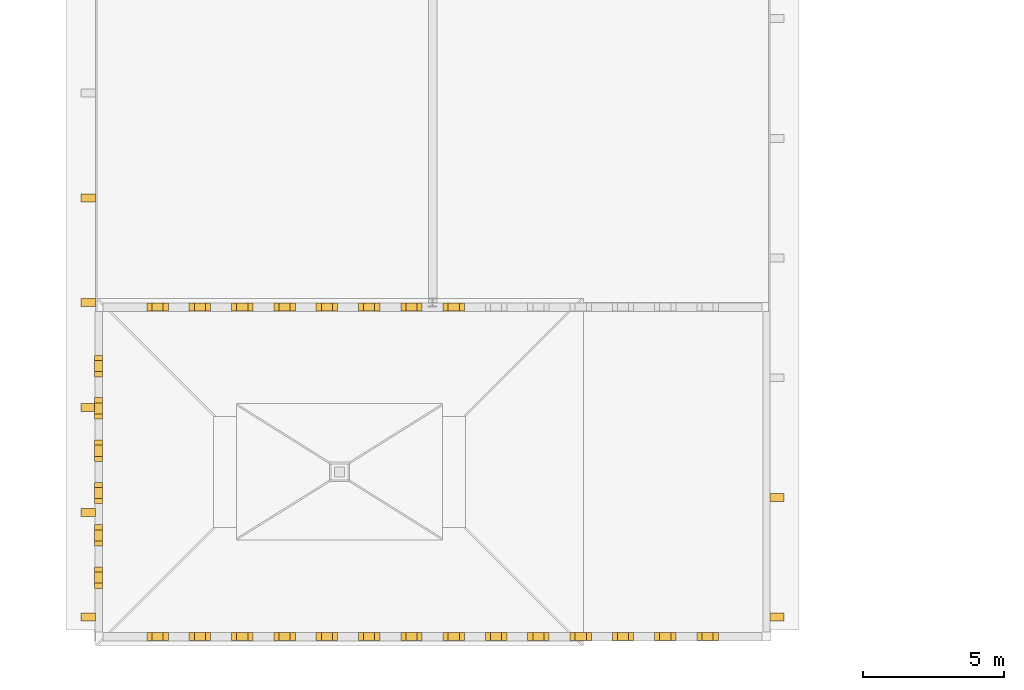
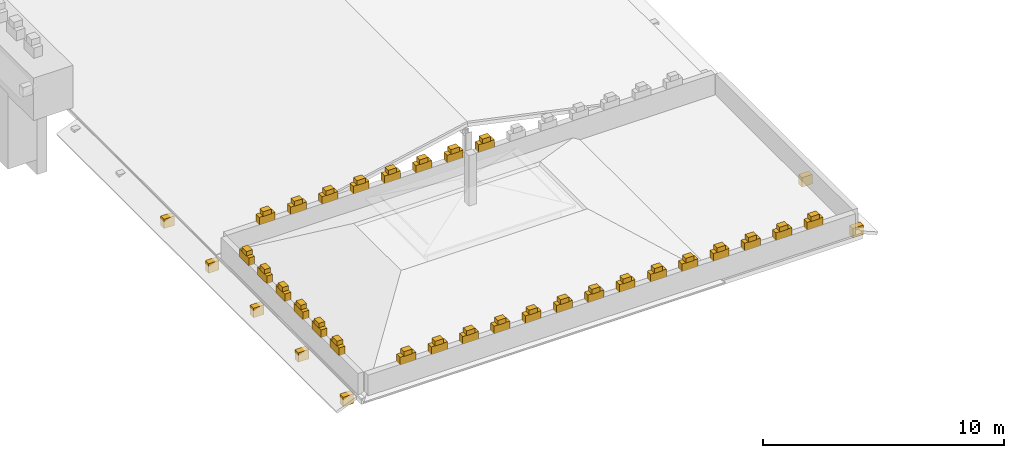
# One storey, part 79 of 83: 63 coverings.
"""IFC4 building model written with IfcOpenShell, lengths in metres."""

from ifc_helpers import new_model, si_unit, direction, frame, origin, place, context, subcontext, project, spatial, polyline, outline, extrude, material, layer, layer_set, type_object, element, save


model = new_model("IFC4")

# Units and contexts
model_context = context("Model", 3, precision=1e-05, world=origin(), true_north=direction((0.0, 1.0)))
body_context = subcontext(model_context, "Body", "Model", "MODEL_VIEW")
ifc_project = project(units=[si_unit("LENGTHUNIT", "METRE"), si_unit("AREAUNIT", "SQUARE_METRE"), si_unit("VOLUMEUNIT", "CUBIC_METRE"), si_unit("PLANEANGLEUNIT", "RADIAN"), si_unit("MASSUNIT", "GRAM", prefix="KILO")], contexts=[model_context])

# Site, building, storey
site_placement = place(None, origin())
site = spatial("IfcSite", under=ifc_project, at=site_placement, CompositionType="ELEMENT")
building_placement = place(site_placement, origin())
building = spatial("IfcBuilding", under=site, at=building_placement, Name="Zlatogorsky Bluff Art Gallery", CompositionType="ELEMENT")
storey_placement = place(building_placement, frame((0.0, 0.0, 10.800048828125)))
storey = spatial("IfcBuildingStorey", under=building, at=storey_placement, Name="L02", CompositionType="ELEMENT", Elevation=10.800048828125)

# Coverings
ifc_material = material(Name="Honed Red Agra-Tone Quartzitic Sandstone", Category="masonry")
ifc_layer = layer(ifc_material, 0.1201171875)
ifc_layer_set = layer_set([ifc_layer], Name="Carved Sandstone Cladding CLD-02")
covering_type = type_object("IfcCoveringType", Name="Carved Sandstone Cladding CLD-02", PredefinedType="CLADDING", material=ifc_layer_set)
covering_1_placement = place(storey_placement, frame((0.0, 0.0, -0.60009765625)))
element("IfcCovering", 1, at=covering_1_placement, inside=storey, type_object=covering_type, Name="Chhajja carved stone corbel CHJ-SW-E-L02.1", PredefinedType="CLADDING", context=body_context, shape_type="SweptSolid", body=[
    extrude(outline(polyline([(23.9599609375, 15.110107421875), (23.9599609375, 15.389892578125), (24.4599609375, 15.389892578125), (24.4599609375, 15.110107421875), (23.9599609375, 15.110107421875)])), origin(), (0.0, 0.0, 1.0), 0.47998046875),
])
covering_2_placement = place(storey_placement, frame((0.0, 0.0, -0.60009765625)))
element("IfcCovering", 2, at=covering_2_placement, inside=storey, type_object=covering_type, Name="Chhajja carved stone corbel CHJ-SW-E-L02.2", PredefinedType="CLADDING", context=body_context, shape_type="SweptSolid", body=[
    extrude(outline(polyline([(23.9599609375, 19.353759765625), (23.9599609375, 19.6337890625), (24.4599609375, 19.6337890625), (24.4599609375, 19.353759765625), (23.9599609375, 19.353759765625)])), origin(), (0.0, 0.0, 1.0), 0.47998046875),
])
covering_3_placement = place(storey_placement, frame((0.0, 0.0, -0.60009765625)))
element("IfcCovering", 3, at=covering_3_placement, inside=storey, type_object=covering_type, Name="Chhajja carved stone corbel CHJ-SW-W-L02A.1", PredefinedType="CLADDING", context=body_context, shape_type="SweptSolid", body=[
    extrude(outline(polyline([(-0.4599609375, 15.110107421875), (-0.4599609375, 15.389892578125), (0.0400390625, 15.389892578125), (0.0400390625, 15.110107421875), (-0.4599609375, 15.110107421875)])), origin(), (0.0, 0.0, 1.0), 0.47998046875),
])
covering_4_placement = place(storey_placement, frame((0.0, 0.0, -0.60009765625)))
element("IfcCovering", 4, at=covering_4_placement, inside=storey, type_object=covering_type, Name="Chhajja carved stone corbel CHJ-SW-W-L02A.2", PredefinedType="CLADDING", context=body_context, shape_type="SweptSolid", body=[
    extrude(outline(polyline([(-0.4599609375, 18.82666015625), (-0.4599609375, 19.106689453125), (0.0400390625, 19.106689453125), (0.0400390625, 18.82666015625), (-0.4599609375, 18.82666015625)])), origin(), (0.0, 0.0, 1.0), 0.47998046875),
])
covering_5_placement = place(storey_placement, frame((0.0, 0.0, -0.60009765625)))
element("IfcCovering", 5, at=covering_5_placement, inside=storey, type_object=covering_type, Name="Chhajja carved stone corbel CHJ-SW-W-L02A.3", PredefinedType="CLADDING", context=body_context, shape_type="SweptSolid", body=[
    extrude(outline(polyline([(-0.4599609375, 22.543212890625), (-0.4599609375, 22.8232421875), (0.0400390625, 22.8232421875), (0.0400390625, 22.543212890625), (-0.4599609375, 22.543212890625)])), origin(), (0.0, 0.0, 1.0), 0.47998046875),
])
covering_6_placement = place(storey_placement, frame((0.0, 0.0, -0.60009765625)))
element("IfcCovering", 6, at=covering_6_placement, inside=storey, type_object=covering_type, Name="Chhajja carved stone corbel CHJ-SW-W-L02A.4", PredefinedType="CLADDING", context=body_context, shape_type="SweptSolid", body=[
    extrude(outline(polyline([(-0.4599609375, 26.260009765625), (-0.4599609375, 26.5400390625), (0.0400390625, 26.5400390625), (0.0400390625, 26.260009765625), (-0.4599609375, 26.260009765625)])), origin(), (0.0, 0.0, 1.0), 0.47998046875),
])
covering_7_placement = place(storey_placement, frame((0.0, 0.0, -0.60009765625)))
element("IfcCovering", 7, at=covering_7_placement, inside=storey, type_object=covering_type, Name="Chhajja carved stone corbel CHJ-SW-W-L02A.5", PredefinedType="CLADDING", context=body_context, shape_type="SweptSolid", body=[
    extrude(outline(polyline([(-0.4599609375, 29.976806640625), (-0.4599609375, 30.256591796875), (0.0400390625, 30.256591796875), (0.0400390625, 29.976806640625), (-0.4599609375, 29.976806640625)])), origin(), (0.0, 0.0, 1.0), 0.47998046875),
])
covering_8_placement = place(storey_placement, frame((0.0, 0.0, 1.119873046875)))
element("IfcCovering", 8, at=covering_8_placement, inside=storey, type_object=covering_type, Name="Kangura stepped merlon base PAR-RF-L02-01-2.1", PredefinedType="CLADDING", context=body_context, shape_type="SweptSolid", body=[
    extrude(outline(polyline([(1.8701171875, 14.419921875), (2.6298828125, 14.419921875), (2.6298828125, 14.699951171875), (1.8701171875, 14.699951171875), (1.8701171875, 14.419921875)])), origin(), (0.0, 0.0, 1.0), 0.3896484375),
])
covering_9_placement = place(storey_placement, frame((0.0, 0.0, 1.4921875)))
element("IfcCovering", 9, at=covering_9_placement, inside=storey, type_object=covering_type, Name="Kangura pointed merlon finial PAR-RF-L02-01-2.1", PredefinedType="CLADDING", context=body_context, shape_type="SweptSolid", body=[
    extrude(outline(polyline([(2.052490234375, 14.419921875), (2.447509765625, 14.419921875), (2.447509765625, 14.699951171875), (2.052490234375, 14.699951171875), (2.052490234375, 14.419921875)])), origin(), (0.0, 0.0, 1.0), 0.23779296875),
])
covering_10_placement = place(storey_placement, frame((0.0, 0.0, 1.119873046875)))
element("IfcCovering", 10, at=covering_10_placement, inside=storey, type_object=covering_type, Name="Kangura stepped merlon base PAR-RF-L02-01-2.2", PredefinedType="CLADDING", context=body_context, shape_type="SweptSolid", body=[
    extrude(outline(polyline([(3.3701171875, 14.419921875), (4.1298828125, 14.419921875), (4.1298828125, 14.699951171875), (3.3701171875, 14.699951171875), (3.3701171875, 14.419921875)])), origin(), (0.0, 0.0, 1.0), 0.3896484375),
])
covering_11_placement = place(storey_placement, frame((0.0, 0.0, 1.4921875)))
element("IfcCovering", 11, at=covering_11_placement, inside=storey, type_object=covering_type, Name="Kangura pointed merlon finial PAR-RF-L02-01-2.2", PredefinedType="CLADDING", context=body_context, shape_type="SweptSolid", body=[
    extrude(outline(polyline([(3.552490234375, 14.419921875), (3.947509765625, 14.419921875), (3.947509765625, 14.699951171875), (3.552490234375, 14.699951171875), (3.552490234375, 14.419921875)])), origin(), (0.0, 0.0, 1.0), 0.23779296875),
])
covering_12_placement = place(storey_placement, frame((0.0, 0.0, 1.119873046875)))
element("IfcCovering", 12, at=covering_12_placement, inside=storey, type_object=covering_type, Name="Kangura stepped merlon base PAR-RF-L02-01-2.3", PredefinedType="CLADDING", context=body_context, shape_type="SweptSolid", body=[
    extrude(outline(polyline([(4.8701171875, 14.419921875), (5.6298828125, 14.419921875), (5.6298828125, 14.699951171875), (4.8701171875, 14.699951171875), (4.8701171875, 14.419921875)])), origin(), (0.0, 0.0, 1.0), 0.3896484375),
])
covering_13_placement = place(storey_placement, frame((0.0, 0.0, 1.4921875)))
element("IfcCovering", 13, at=covering_13_placement, inside=storey, type_object=covering_type, Name="Kangura pointed merlon finial PAR-RF-L02-01-2.3", PredefinedType="CLADDING", context=body_context, shape_type="SweptSolid", body=[
    extrude(outline(polyline([(5.052490234375, 14.419921875), (5.447509765625, 14.419921875), (5.447509765625, 14.699951171875), (5.052490234375, 14.699951171875), (5.052490234375, 14.419921875)])), origin(), (0.0, 0.0, 1.0), 0.23779296875),
])
covering_14_placement = place(storey_placement, frame((0.0, 0.0, 1.119873046875)))
element("IfcCovering", 14, at=covering_14_placement, inside=storey, type_object=covering_type, Name="Kangura stepped merlon base PAR-RF-L02-01-2.4", PredefinedType="CLADDING", context=body_context, shape_type="SweptSolid", body=[
    extrude(outline(polyline([(6.3701171875, 14.419921875), (7.1298828125, 14.419921875), (7.1298828125, 14.699951171875), (6.3701171875, 14.699951171875), (6.3701171875, 14.419921875)])), origin(), (0.0, 0.0, 1.0), 0.3896484375),
])
covering_15_placement = place(storey_placement, frame((0.0, 0.0, 1.4921875)))
element("IfcCovering", 15, at=covering_15_placement, inside=storey, type_object=covering_type, Name="Kangura pointed merlon finial PAR-RF-L02-01-2.4", PredefinedType="CLADDING", context=body_context, shape_type="SweptSolid", body=[
    extrude(outline(polyline([(6.552490234375, 14.419921875), (6.947509765625, 14.419921875), (6.947509765625, 14.699951171875), (6.552490234375, 14.699951171875), (6.552490234375, 14.419921875)])), origin(), (0.0, 0.0, 1.0), 0.23779296875),
])
covering_16_placement = place(storey_placement, frame((0.0, 0.0, 1.119873046875)))
element("IfcCovering", 16, at=covering_16_placement, inside=storey, type_object=covering_type, Name="Kangura stepped merlon base PAR-RF-L02-01-2.5", PredefinedType="CLADDING", context=body_context, shape_type="SweptSolid", body=[
    extrude(outline(polyline([(7.8701171875, 14.419921875), (8.6298828125, 14.419921875), (8.6298828125, 14.699951171875), (7.8701171875, 14.699951171875), (7.8701171875, 14.419921875)])), origin(), (0.0, 0.0, 1.0), 0.3896484375),
])
covering_17_placement = place(storey_placement, frame((0.0, 0.0, 1.4921875)))
element("IfcCovering", 17, at=covering_17_placement, inside=storey, type_object=covering_type, Name="Kangura pointed merlon finial PAR-RF-L02-01-2.5", PredefinedType="CLADDING", context=body_context, shape_type="SweptSolid", body=[
    extrude(outline(polyline([(8.052490234375, 14.419921875), (8.447509765625, 14.419921875), (8.447509765625, 14.699951171875), (8.052490234375, 14.699951171875), (8.052490234375, 14.419921875)])), origin(), (0.0, 0.0, 1.0), 0.23779296875),
])
covering_18_placement = place(storey_placement, frame((0.0, 0.0, 1.119873046875)))
element("IfcCovering", 18, at=covering_18_placement, inside=storey, type_object=covering_type, Name="Kangura stepped merlon base PAR-RF-L02-01-2.6", PredefinedType="CLADDING", context=body_context, shape_type="SweptSolid", body=[
    extrude(outline(polyline([(9.3701171875, 14.419921875), (10.1298828125, 14.419921875), (10.1298828125, 14.699951171875), (9.3701171875, 14.699951171875), (9.3701171875, 14.419921875)])), origin(), (0.0, 0.0, 1.0), 0.3896484375),
])
covering_19_placement = place(storey_placement, frame((0.0, 0.0, 1.4921875)))
element("IfcCovering", 19, at=covering_19_placement, inside=storey, type_object=covering_type, Name="Kangura pointed merlon finial PAR-RF-L02-01-2.6", PredefinedType="CLADDING", context=body_context, shape_type="SweptSolid", body=[
    extrude(outline(polyline([(9.552490234375, 14.419921875), (9.947509765625, 14.419921875), (9.947509765625, 14.699951171875), (9.552490234375, 14.699951171875), (9.552490234375, 14.419921875)])), origin(), (0.0, 0.0, 1.0), 0.23779296875),
])
covering_20_placement = place(storey_placement, frame((0.0, 0.0, 1.119873046875)))
element("IfcCovering", 20, at=covering_20_placement, inside=storey, type_object=covering_type, Name="Kangura stepped merlon base PAR-RF-L02-01-2.7", PredefinedType="CLADDING", context=body_context, shape_type="SweptSolid", body=[
    extrude(outline(polyline([(10.8701171875, 14.419921875), (11.6298828125, 14.419921875), (11.6298828125, 14.699951171875), (10.8701171875, 14.699951171875), (10.8701171875, 14.419921875)])), origin(), (0.0, 0.0, 1.0), 0.3896484375),
])
covering_21_placement = place(storey_placement, frame((0.0, 0.0, 1.4921875)))
element("IfcCovering", 21, at=covering_21_placement, inside=storey, type_object=covering_type, Name="Kangura pointed merlon finial PAR-RF-L02-01-2.7", PredefinedType="CLADDING", context=body_context, shape_type="SweptSolid", body=[
    extrude(outline(polyline([(11.052490234375, 14.419921875), (11.447509765625, 14.419921875), (11.447509765625, 14.699951171875), (11.052490234375, 14.699951171875), (11.052490234375, 14.419921875)])), origin(), (0.0, 0.0, 1.0), 0.23779296875),
])
covering_22_placement = place(storey_placement, frame((0.0, 0.0, 1.119873046875)))
element("IfcCovering", 22, at=covering_22_placement, inside=storey, type_object=covering_type, Name="Kangura stepped merlon base PAR-RF-L02-01-2.8", PredefinedType="CLADDING", context=body_context, shape_type="SweptSolid", body=[
    extrude(outline(polyline([(12.3701171875, 14.419921875), (13.1298828125, 14.419921875), (13.1298828125, 14.699951171875), (12.3701171875, 14.699951171875), (12.3701171875, 14.419921875)])), origin(), (0.0, 0.0, 1.0), 0.3896484375),
])
covering_23_placement = place(storey_placement, frame((0.0, 0.0, 1.4921875)))
element("IfcCovering", 23, at=covering_23_placement, inside=storey, type_object=covering_type, Name="Kangura pointed merlon finial PAR-RF-L02-01-2.8", PredefinedType="CLADDING", context=body_context, shape_type="SweptSolid", body=[
    extrude(outline(polyline([(12.552490234375, 14.419921875), (12.947509765625, 14.419921875), (12.947509765625, 14.699951171875), (12.552490234375, 14.699951171875), (12.552490234375, 14.419921875)])), origin(), (0.0, 0.0, 1.0), 0.23779296875),
])
covering_24_placement = place(storey_placement, frame((0.0, 0.0, 1.119873046875)))
element("IfcCovering", 24, at=covering_24_placement, inside=storey, type_object=covering_type, Name="Kangura stepped merlon base PAR-RF-L02-01-2.9", PredefinedType="CLADDING", context=body_context, shape_type="SweptSolid", body=[
    extrude(outline(polyline([(13.8701171875, 14.419921875), (14.6298828125, 14.419921875), (14.6298828125, 14.699951171875), (13.8701171875, 14.699951171875), (13.8701171875, 14.419921875)])), origin(), (0.0, 0.0, 1.0), 0.3896484375),
])
covering_25_placement = place(storey_placement, frame((0.0, 0.0, 1.4921875)))
element("IfcCovering", 25, at=covering_25_placement, inside=storey, type_object=covering_type, Name="Kangura pointed merlon finial PAR-RF-L02-01-2.9", PredefinedType="CLADDING", context=body_context, shape_type="SweptSolid", body=[
    extrude(outline(polyline([(14.052490234375, 14.419921875), (14.447509765625, 14.419921875), (14.447509765625, 14.699951171875), (14.052490234375, 14.699951171875), (14.052490234375, 14.419921875)])), origin(), (0.0, 0.0, 1.0), 0.23779296875),
])
covering_26_placement = place(storey_placement, frame((0.0, 0.0, 1.119873046875)))
element("IfcCovering", 26, at=covering_26_placement, inside=storey, type_object=covering_type, Name="Kangura stepped merlon base PAR-RF-L02-01-2.10", PredefinedType="CLADDING", context=body_context, shape_type="SweptSolid", body=[
    extrude(outline(polyline([(15.3701171875, 14.419921875), (16.1298828125, 14.419921875), (16.1298828125, 14.699951171875), (15.3701171875, 14.699951171875), (15.3701171875, 14.419921875)])), origin(), (0.0, 0.0, 1.0), 0.3896484375),
])
covering_27_placement = place(storey_placement, frame((0.0, 0.0, 1.4921875)))
element("IfcCovering", 27, at=covering_27_placement, inside=storey, type_object=covering_type, Name="Kangura pointed merlon finial PAR-RF-L02-01-2.10", PredefinedType="CLADDING", context=body_context, shape_type="SweptSolid", body=[
    extrude(outline(polyline([(15.552490234375, 14.419921875), (15.947509765625, 14.419921875), (15.947509765625, 14.699951171875), (15.552490234375, 14.699951171875), (15.552490234375, 14.419921875)])), origin(), (0.0, 0.0, 1.0), 0.23779296875),
])
covering_28_placement = place(storey_placement, frame((0.0, 0.0, 1.119873046875)))
element("IfcCovering", 28, at=covering_28_placement, inside=storey, type_object=covering_type, Name="Kangura stepped merlon base PAR-RF-L02-01-2.11", PredefinedType="CLADDING", context=body_context, shape_type="SweptSolid", body=[
    extrude(outline(polyline([(16.8701171875, 14.419921875), (17.6298828125, 14.419921875), (17.6298828125, 14.699951171875), (16.8701171875, 14.699951171875), (16.8701171875, 14.419921875)])), origin(), (0.0, 0.0, 1.0), 0.3896484375),
])
covering_29_placement = place(storey_placement, frame((0.0, 0.0, 1.4921875)))
element("IfcCovering", 29, at=covering_29_placement, inside=storey, type_object=covering_type, Name="Kangura pointed merlon finial PAR-RF-L02-01-2.11", PredefinedType="CLADDING", context=body_context, shape_type="SweptSolid", body=[
    extrude(outline(polyline([(17.052490234375, 14.419921875), (17.447509765625, 14.419921875), (17.447509765625, 14.699951171875), (17.052490234375, 14.699951171875), (17.052490234375, 14.419921875)])), origin(), (0.0, 0.0, 1.0), 0.23779296875),
])
covering_30_placement = place(storey_placement, frame((0.0, 0.0, 1.119873046875)))
element("IfcCovering", 30, at=covering_30_placement, inside=storey, type_object=covering_type, Name="Kangura stepped merlon base PAR-RF-L02-01-2.12", PredefinedType="CLADDING", context=body_context, shape_type="SweptSolid", body=[
    extrude(outline(polyline([(18.3701171875, 14.419921875), (19.1298828125, 14.419921875), (19.1298828125, 14.699951171875), (18.3701171875, 14.699951171875), (18.3701171875, 14.419921875)])), origin(), (0.0, 0.0, 1.0), 0.3896484375),
])
covering_31_placement = place(storey_placement, frame((0.0, 0.0, 1.4921875)))
element("IfcCovering", 31, at=covering_31_placement, inside=storey, type_object=covering_type, Name="Kangura pointed merlon finial PAR-RF-L02-01-2.12", PredefinedType="CLADDING", context=body_context, shape_type="SweptSolid", body=[
    extrude(outline(polyline([(18.552490234375, 14.419921875), (18.947509765625, 14.419921875), (18.947509765625, 14.699951171875), (18.552490234375, 14.699951171875), (18.552490234375, 14.419921875)])), origin(), (0.0, 0.0, 1.0), 0.23779296875),
])
covering_32_placement = place(storey_placement, frame((0.0, 0.0, 1.119873046875)))
element("IfcCovering", 32, at=covering_32_placement, inside=storey, type_object=covering_type, Name="Kangura stepped merlon base PAR-RF-L02-01-2.13", PredefinedType="CLADDING", context=body_context, shape_type="SweptSolid", body=[
    extrude(outline(polyline([(19.8701171875, 14.419921875), (20.6298828125, 14.419921875), (20.6298828125, 14.699951171875), (19.8701171875, 14.699951171875), (19.8701171875, 14.419921875)])), origin(), (0.0, 0.0, 1.0), 0.3896484375),
])
covering_33_placement = place(storey_placement, frame((0.0, 0.0, 1.4921875)))
element("IfcCovering", 33, at=covering_33_placement, inside=storey, type_object=covering_type, Name="Kangura pointed merlon finial PAR-RF-L02-01-2.13", PredefinedType="CLADDING", context=body_context, shape_type="SweptSolid", body=[
    extrude(outline(polyline([(20.052490234375, 14.419921875), (20.447509765625, 14.419921875), (20.447509765625, 14.699951171875), (20.052490234375, 14.699951171875), (20.052490234375, 14.419921875)])), origin(), (0.0, 0.0, 1.0), 0.23779296875),
])
covering_34_placement = place(storey_placement, frame((0.0, 0.0, 1.119873046875)))
element("IfcCovering", 34, at=covering_34_placement, inside=storey, type_object=covering_type, Name="Kangura stepped merlon base PAR-RF-L02-01-2.14", PredefinedType="CLADDING", context=body_context, shape_type="SweptSolid", body=[
    extrude(outline(polyline([(21.3701171875, 14.419921875), (22.1298828125, 14.419921875), (22.1298828125, 14.699951171875), (21.3701171875, 14.699951171875), (21.3701171875, 14.419921875)])), origin(), (0.0, 0.0, 1.0), 0.3896484375),
])
covering_35_placement = place(storey_placement, frame((0.0, 0.0, 1.4921875)))
element("IfcCovering", 35, at=covering_35_placement, inside=storey, type_object=covering_type, Name="Kangura pointed merlon finial PAR-RF-L02-01-2.14", PredefinedType="CLADDING", context=body_context, shape_type="SweptSolid", body=[
    extrude(outline(polyline([(21.552490234375, 14.419921875), (21.947509765625, 14.419921875), (21.947509765625, 14.699951171875), (21.552490234375, 14.699951171875), (21.552490234375, 14.419921875)])), origin(), (0.0, 0.0, 1.0), 0.23779296875),
])
covering_36_placement = place(storey_placement, frame((0.0, 0.0, 1.119873046875)))
element("IfcCovering", 36, at=covering_36_placement, inside=storey, type_object=covering_type, Name="Kangura stepped merlon base PAR-RF-L02-01-3.1", PredefinedType="CLADDING", context=body_context, shape_type="SweptSolid", body=[
    extrude(outline(polyline([(0.02001953125, 16.27001953125), (0.02001953125, 17.030029296875), (0.300048828125, 17.030029296875), (0.300048828125, 16.27001953125), (0.02001953125, 16.27001953125)])), origin(), (0.0, 0.0, 1.0), 0.3896484375),
])
covering_37_placement = place(storey_placement, frame((0.0, 0.0, 1.4921875)))
element("IfcCovering", 37, at=covering_37_placement, inside=storey, type_object=covering_type, Name="Kangura pointed merlon finial PAR-RF-L02-01-3.1", PredefinedType="CLADDING", context=body_context, shape_type="SweptSolid", body=[
    extrude(outline(polyline([(0.02001953125, 16.452392578125), (0.02001953125, 16.84765625), (0.300048828125, 16.84765625), (0.300048828125, 16.452392578125), (0.02001953125, 16.452392578125)])), origin(), (0.0, 0.0, 1.0), 0.23779296875),
])
covering_38_placement = place(storey_placement, frame((0.0, 0.0, 1.119873046875)))
element("IfcCovering", 38, at=covering_38_placement, inside=storey, type_object=covering_type, Name="Kangura stepped merlon base PAR-RF-L02-01-3.2", PredefinedType="CLADDING", context=body_context, shape_type="SweptSolid", body=[
    extrude(outline(polyline([(0.02001953125, 17.77001953125), (0.02001953125, 18.530029296875), (0.300048828125, 18.530029296875), (0.300048828125, 17.77001953125), (0.02001953125, 17.77001953125)])), origin(), (0.0, 0.0, 1.0), 0.3896484375),
])
covering_39_placement = place(storey_placement, frame((0.0, 0.0, 1.4921875)))
element("IfcCovering", 39, at=covering_39_placement, inside=storey, type_object=covering_type, Name="Kangura pointed merlon finial PAR-RF-L02-01-3.2", PredefinedType="CLADDING", context=body_context, shape_type="SweptSolid", body=[
    extrude(outline(polyline([(0.02001953125, 17.952392578125), (0.02001953125, 18.34765625), (0.300048828125, 18.34765625), (0.300048828125, 17.952392578125), (0.02001953125, 17.952392578125)])), origin(), (0.0, 0.0, 1.0), 0.23779296875),
])
covering_40_placement = place(storey_placement, frame((0.0, 0.0, 1.119873046875)))
element("IfcCovering", 40, at=covering_40_placement, inside=storey, type_object=covering_type, Name="Kangura stepped merlon base PAR-RF-L02-01-3.3", PredefinedType="CLADDING", context=body_context, shape_type="SweptSolid", body=[
    extrude(outline(polyline([(0.02001953125, 19.27001953125), (0.02001953125, 20.030029296875), (0.300048828125, 20.030029296875), (0.300048828125, 19.27001953125), (0.02001953125, 19.27001953125)])), origin(), (0.0, 0.0, 1.0), 0.3896484375),
])
covering_41_placement = place(storey_placement, frame((0.0, 0.0, 1.4921875)))
element("IfcCovering", 41, at=covering_41_placement, inside=storey, type_object=covering_type, Name="Kangura pointed merlon finial PAR-RF-L02-01-3.3", PredefinedType="CLADDING", context=body_context, shape_type="SweptSolid", body=[
    extrude(outline(polyline([(0.02001953125, 19.452392578125), (0.02001953125, 19.84765625), (0.300048828125, 19.84765625), (0.300048828125, 19.452392578125), (0.02001953125, 19.452392578125)])), origin(), (0.0, 0.0, 1.0), 0.23779296875),
])
covering_42_placement = place(storey_placement, frame((0.0, 0.0, 1.119873046875)))
element("IfcCovering", 42, at=covering_42_placement, inside=storey, type_object=covering_type, Name="Kangura stepped merlon base PAR-RF-L02-01-3.4", PredefinedType="CLADDING", context=body_context, shape_type="SweptSolid", body=[
    extrude(outline(polyline([(0.02001953125, 20.77001953125), (0.02001953125, 21.530029296875), (0.300048828125, 21.530029296875), (0.300048828125, 20.77001953125), (0.02001953125, 20.77001953125)])), origin(), (0.0, 0.0, 1.0), 0.3896484375),
])
covering_43_placement = place(storey_placement, frame((0.0, 0.0, 1.4921875)))
element("IfcCovering", 43, at=covering_43_placement, inside=storey, type_object=covering_type, Name="Kangura pointed merlon finial PAR-RF-L02-01-3.4", PredefinedType="CLADDING", context=body_context, shape_type="SweptSolid", body=[
    extrude(outline(polyline([(0.02001953125, 20.952392578125), (0.02001953125, 21.34765625), (0.300048828125, 21.34765625), (0.300048828125, 20.952392578125), (0.02001953125, 20.952392578125)])), origin(), (0.0, 0.0, 1.0), 0.23779296875),
])
covering_44_placement = place(storey_placement, frame((0.0, 0.0, 1.119873046875)))
element("IfcCovering", 44, at=covering_44_placement, inside=storey, type_object=covering_type, Name="Kangura stepped merlon base PAR-RF-L02-01-3.5", PredefinedType="CLADDING", context=body_context, shape_type="SweptSolid", body=[
    extrude(outline(polyline([(0.02001953125, 22.27001953125), (0.02001953125, 23.030029296875), (0.300048828125, 23.030029296875), (0.300048828125, 22.27001953125), (0.02001953125, 22.27001953125)])), origin(), (0.0, 0.0, 1.0), 0.3896484375),
])
covering_45_placement = place(storey_placement, frame((0.0, 0.0, 1.4921875)))
element("IfcCovering", 45, at=covering_45_placement, inside=storey, type_object=covering_type, Name="Kangura pointed merlon finial PAR-RF-L02-01-3.5", PredefinedType="CLADDING", context=body_context, shape_type="SweptSolid", body=[
    extrude(outline(polyline([(0.02001953125, 22.452392578125), (0.02001953125, 22.84765625), (0.300048828125, 22.84765625), (0.300048828125, 22.452392578125), (0.02001953125, 22.452392578125)])), origin(), (0.0, 0.0, 1.0), 0.23779296875),
])
covering_46_placement = place(storey_placement, frame((0.0, 0.0, 1.119873046875)))
element("IfcCovering", 46, at=covering_46_placement, inside=storey, type_object=covering_type, Name="Kangura stepped merlon base PAR-RF-L02-01-3.6", PredefinedType="CLADDING", context=body_context, shape_type="SweptSolid", body=[
    extrude(outline(polyline([(0.02001953125, 23.77001953125), (0.02001953125, 24.530029296875), (0.300048828125, 24.530029296875), (0.300048828125, 23.77001953125), (0.02001953125, 23.77001953125)])), origin(), (0.0, 0.0, 1.0), 0.3896484375),
])
covering_47_placement = place(storey_placement, frame((0.0, 0.0, 1.4921875)))
element("IfcCovering", 47, at=covering_47_placement, inside=storey, type_object=covering_type, Name="Kangura pointed merlon finial PAR-RF-L02-01-3.6", PredefinedType="CLADDING", context=body_context, shape_type="SweptSolid", body=[
    extrude(outline(polyline([(0.02001953125, 23.952392578125), (0.02001953125, 24.34765625), (0.300048828125, 24.34765625), (0.300048828125, 23.952392578125), (0.02001953125, 23.952392578125)])), origin(), (0.0, 0.0, 1.0), 0.23779296875),
])
covering_48_placement = place(storey_placement, frame((0.0, 0.0, 1.119873046875)))
element("IfcCovering", 48, at=covering_48_placement, inside=storey, type_object=covering_type, Name="Kangura stepped merlon base PAR-RF-L02-01-4.1", PredefinedType="CLADDING", context=body_context, shape_type="SweptSolid", body=[
    extrude(outline(polyline([(1.8701171875, 26.10009765625), (2.6298828125, 26.10009765625), (2.6298828125, 26.3798828125), (1.8701171875, 26.3798828125), (1.8701171875, 26.10009765625)])), origin(), (0.0, 0.0, 1.0), 0.3896484375),
])
covering_49_placement = place(storey_placement, frame((0.0, 0.0, 1.4921875)))
element("IfcCovering", 49, at=covering_49_placement, inside=storey, type_object=covering_type, Name="Kangura pointed merlon finial PAR-RF-L02-01-4.1", PredefinedType="CLADDING", context=body_context, shape_type="SweptSolid", body=[
    extrude(outline(polyline([(2.052490234375, 26.10009765625), (2.447509765625, 26.10009765625), (2.447509765625, 26.3798828125), (2.052490234375, 26.3798828125), (2.052490234375, 26.10009765625)])), origin(), (0.0, 0.0, 1.0), 0.23779296875),
])
covering_50_placement = place(storey_placement, frame((0.0, 0.0, 1.119873046875)))
element("IfcCovering", 50, at=covering_50_placement, inside=storey, type_object=covering_type, Name="Kangura stepped merlon base PAR-RF-L02-01-4.2", PredefinedType="CLADDING", context=body_context, shape_type="SweptSolid", body=[
    extrude(outline(polyline([(3.3701171875, 26.10009765625), (4.1298828125, 26.10009765625), (4.1298828125, 26.3798828125), (3.3701171875, 26.3798828125), (3.3701171875, 26.10009765625)])), origin(), (0.0, 0.0, 1.0), 0.3896484375),
])
covering_51_placement = place(storey_placement, frame((0.0, 0.0, 1.4921875)))
element("IfcCovering", 51, at=covering_51_placement, inside=storey, type_object=covering_type, Name="Kangura pointed merlon finial PAR-RF-L02-01-4.2", PredefinedType="CLADDING", context=body_context, shape_type="SweptSolid", body=[
    extrude(outline(polyline([(3.552490234375, 26.10009765625), (3.947509765625, 26.10009765625), (3.947509765625, 26.3798828125), (3.552490234375, 26.3798828125), (3.552490234375, 26.10009765625)])), origin(), (0.0, 0.0, 1.0), 0.23779296875),
])
covering_52_placement = place(storey_placement, frame((0.0, 0.0, 1.119873046875)))
element("IfcCovering", 52, at=covering_52_placement, inside=storey, type_object=covering_type, Name="Kangura stepped merlon base PAR-RF-L02-01-4.3", PredefinedType="CLADDING", context=body_context, shape_type="SweptSolid", body=[
    extrude(outline(polyline([(4.8701171875, 26.10009765625), (5.6298828125, 26.10009765625), (5.6298828125, 26.3798828125), (4.8701171875, 26.3798828125), (4.8701171875, 26.10009765625)])), origin(), (0.0, 0.0, 1.0), 0.3896484375),
])
covering_53_placement = place(storey_placement, frame((0.0, 0.0, 1.4921875)))
element("IfcCovering", 53, at=covering_53_placement, inside=storey, type_object=covering_type, Name="Kangura pointed merlon finial PAR-RF-L02-01-4.3", PredefinedType="CLADDING", context=body_context, shape_type="SweptSolid", body=[
    extrude(outline(polyline([(5.052490234375, 26.10009765625), (5.447509765625, 26.10009765625), (5.447509765625, 26.3798828125), (5.052490234375, 26.3798828125), (5.052490234375, 26.10009765625)])), origin(), (0.0, 0.0, 1.0), 0.23779296875),
])
covering_54_placement = place(storey_placement, frame((0.0, 0.0, 1.119873046875)))
element("IfcCovering", 54, at=covering_54_placement, inside=storey, type_object=covering_type, Name="Kangura stepped merlon base PAR-RF-L02-01-4.4", PredefinedType="CLADDING", context=body_context, shape_type="SweptSolid", body=[
    extrude(outline(polyline([(6.3701171875, 26.10009765625), (7.1298828125, 26.10009765625), (7.1298828125, 26.3798828125), (6.3701171875, 26.3798828125), (6.3701171875, 26.10009765625)])), origin(), (0.0, 0.0, 1.0), 0.3896484375),
])
covering_55_placement = place(storey_placement, frame((0.0, 0.0, 1.4921875)))
element("IfcCovering", 55, at=covering_55_placement, inside=storey, type_object=covering_type, Name="Kangura pointed merlon finial PAR-RF-L02-01-4.4", PredefinedType="CLADDING", context=body_context, shape_type="SweptSolid", body=[
    extrude(outline(polyline([(6.552490234375, 26.10009765625), (6.947509765625, 26.10009765625), (6.947509765625, 26.3798828125), (6.552490234375, 26.3798828125), (6.552490234375, 26.10009765625)])), origin(), (0.0, 0.0, 1.0), 0.23779296875),
])
covering_56_placement = place(storey_placement, frame((0.0, 0.0, 1.119873046875)))
element("IfcCovering", 56, at=covering_56_placement, inside=storey, type_object=covering_type, Name="Kangura stepped merlon base PAR-RF-L02-01-4.5", PredefinedType="CLADDING", context=body_context, shape_type="SweptSolid", body=[
    extrude(outline(polyline([(7.8701171875, 26.10009765625), (8.6298828125, 26.10009765625), (8.6298828125, 26.3798828125), (7.8701171875, 26.3798828125), (7.8701171875, 26.10009765625)])), origin(), (0.0, 0.0, 1.0), 0.3896484375),
])
covering_57_placement = place(storey_placement, frame((0.0, 0.0, 1.4921875)))
element("IfcCovering", 57, at=covering_57_placement, inside=storey, type_object=covering_type, Name="Kangura pointed merlon finial PAR-RF-L02-01-4.5", PredefinedType="CLADDING", context=body_context, shape_type="SweptSolid", body=[
    extrude(outline(polyline([(8.052490234375, 26.10009765625), (8.447509765625, 26.10009765625), (8.447509765625, 26.3798828125), (8.052490234375, 26.3798828125), (8.052490234375, 26.10009765625)])), origin(), (0.0, 0.0, 1.0), 0.23779296875),
])
covering_58_placement = place(storey_placement, frame((0.0, 0.0, 1.119873046875)))
element("IfcCovering", 58, at=covering_58_placement, inside=storey, type_object=covering_type, Name="Kangura stepped merlon base PAR-RF-L02-01-4.6", PredefinedType="CLADDING", context=body_context, shape_type="SweptSolid", body=[
    extrude(outline(polyline([(9.3701171875, 26.10009765625), (10.1298828125, 26.10009765625), (10.1298828125, 26.3798828125), (9.3701171875, 26.3798828125), (9.3701171875, 26.10009765625)])), origin(), (0.0, 0.0, 1.0), 0.3896484375),
])
covering_59_placement = place(storey_placement, frame((0.0, 0.0, 1.4921875)))
element("IfcCovering", 59, at=covering_59_placement, inside=storey, type_object=covering_type, Name="Kangura pointed merlon finial PAR-RF-L02-01-4.6", PredefinedType="CLADDING", context=body_context, shape_type="SweptSolid", body=[
    extrude(outline(polyline([(9.552490234375, 26.10009765625), (9.947509765625, 26.10009765625), (9.947509765625, 26.3798828125), (9.552490234375, 26.3798828125), (9.552490234375, 26.10009765625)])), origin(), (0.0, 0.0, 1.0), 0.23779296875),
])
covering_60_placement = place(storey_placement, frame((0.0, 0.0, 1.119873046875)))
element("IfcCovering", 60, at=covering_60_placement, inside=storey, type_object=covering_type, Name="Kangura stepped merlon base PAR-RF-L02-01-4.7", PredefinedType="CLADDING", context=body_context, shape_type="SweptSolid", body=[
    extrude(outline(polyline([(10.8701171875, 26.10009765625), (11.6298828125, 26.10009765625), (11.6298828125, 26.3798828125), (10.8701171875, 26.3798828125), (10.8701171875, 26.10009765625)])), origin(), (0.0, 0.0, 1.0), 0.3896484375),
])
covering_61_placement = place(storey_placement, frame((0.0, 0.0, 1.4921875)))
element("IfcCovering", 61, at=covering_61_placement, inside=storey, type_object=covering_type, Name="Kangura pointed merlon finial PAR-RF-L02-01-4.7", PredefinedType="CLADDING", context=body_context, shape_type="SweptSolid", body=[
    extrude(outline(polyline([(11.052490234375, 26.10009765625), (11.447509765625, 26.10009765625), (11.447509765625, 26.3798828125), (11.052490234375, 26.3798828125), (11.052490234375, 26.10009765625)])), origin(), (0.0, 0.0, 1.0), 0.23779296875),
])
covering_62_placement = place(storey_placement, frame((0.0, 0.0, 1.119873046875)))
element("IfcCovering", 62, at=covering_62_placement, inside=storey, type_object=covering_type, Name="Kangura stepped merlon base PAR-RF-L02-01-4.8", PredefinedType="CLADDING", context=body_context, shape_type="SweptSolid", body=[
    extrude(outline(polyline([(12.3701171875, 26.10009765625), (13.1298828125, 26.10009765625), (13.1298828125, 26.3798828125), (12.3701171875, 26.3798828125), (12.3701171875, 26.10009765625)])), origin(), (0.0, 0.0, 1.0), 0.3896484375),
])
covering_63_placement = place(storey_placement, frame((0.0, 0.0, 1.4921875)))
element("IfcCovering", 63, at=covering_63_placement, inside=storey, type_object=covering_type, Name="Kangura pointed merlon finial PAR-RF-L02-01-4.8", PredefinedType="CLADDING", context=body_context, shape_type="SweptSolid", body=[
    extrude(outline(polyline([(12.552490234375, 26.10009765625), (12.947509765625, 26.10009765625), (12.947509765625, 26.3798828125), (12.552490234375, 26.3798828125), (12.552490234375, 26.10009765625)])), origin(), (0.0, 0.0, 1.0), 0.23779296875),
])

save(model, "model.ifc")
